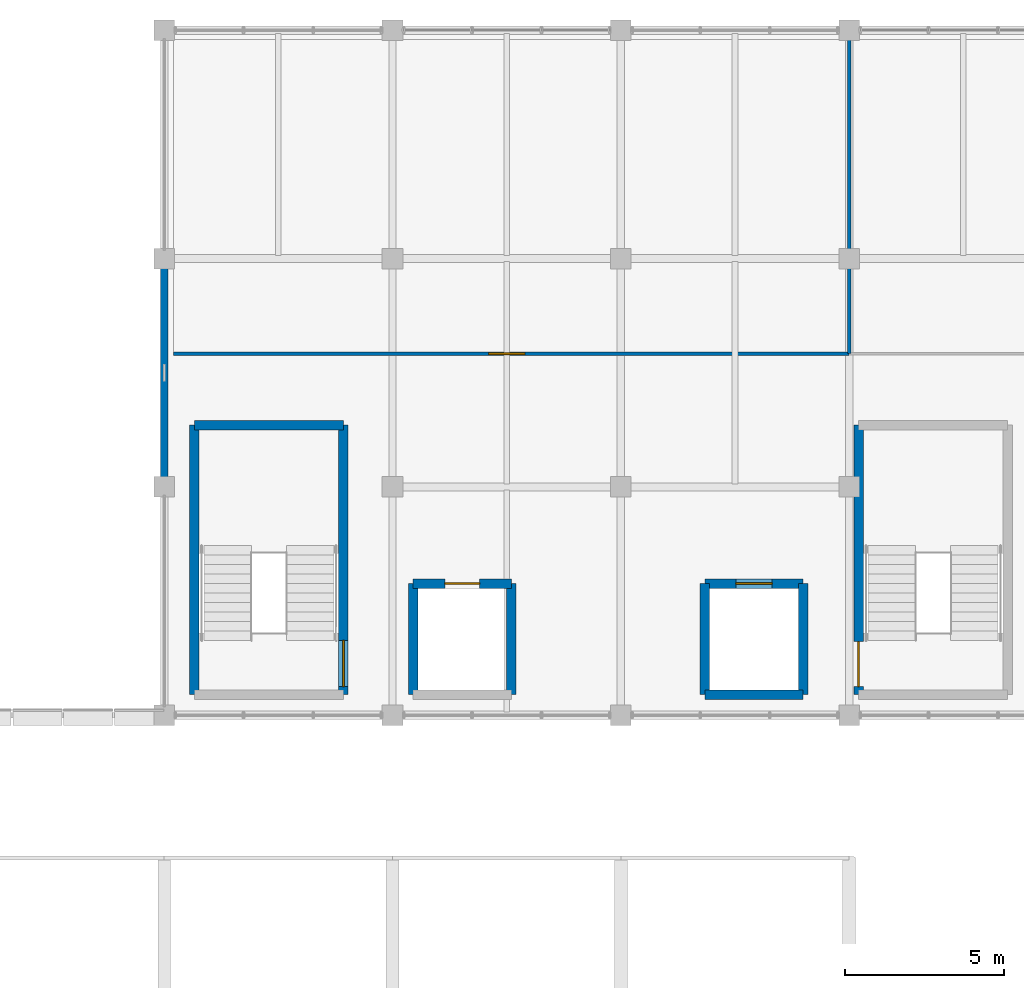
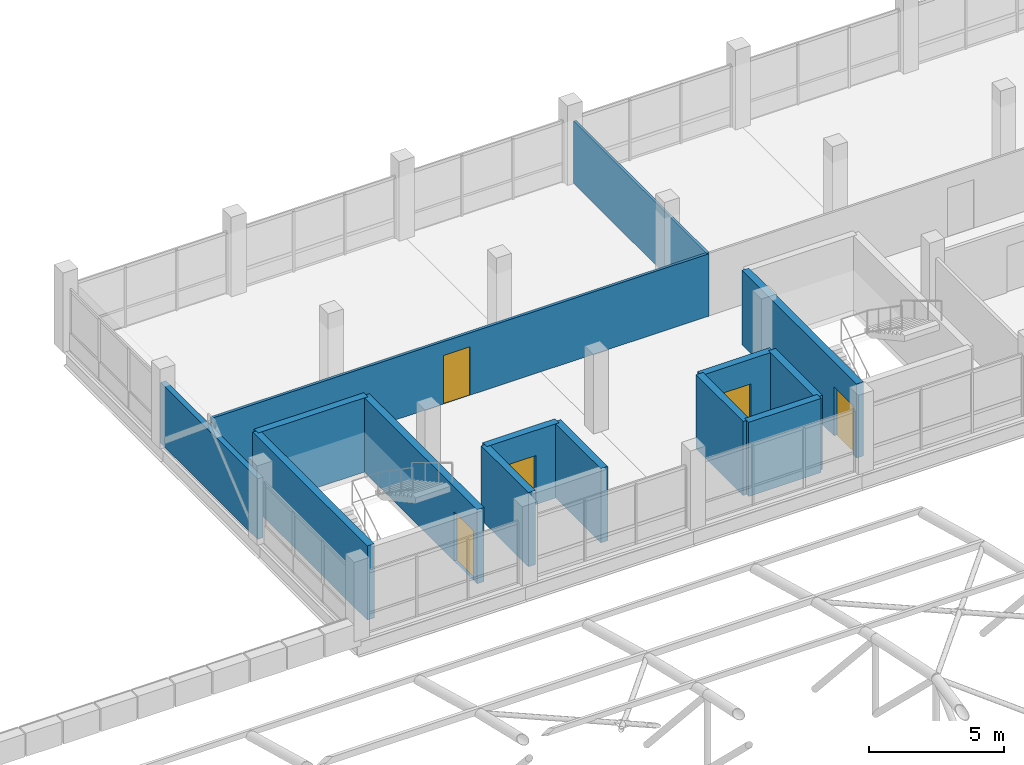
# One storey, part 59 of 96: 14 walls, 5 doors, 5 openings.
"""IFC4 building model written with IfcOpenShell, lengths in metres."""

from ifc_helpers import new_model, si_unit, direction, frame, frame_2d, origin, place, context, subcontext, project, spatial, rectangle, extrude, material, layer, layer_set, type_object, element, fill, save


model = new_model("IFC4")

# Units and contexts
model_context = context("Model", 3, precision=1e-05, world=origin(), true_north=direction((0.0, 1.0)))
body_context = subcontext(model_context, "Body", "Model", "MODEL_VIEW")
ifc_project = project(units=[si_unit("LENGTHUNIT", "METRE"), si_unit("AREAUNIT", "SQUARE_METRE"), si_unit("VOLUMEUNIT", "CUBIC_METRE"), si_unit("PLANEANGLEUNIT", "RADIAN"), si_unit("MASSUNIT", "GRAM", prefix="KILO")], contexts=[model_context])

# Site, building, storey
site_placement = place(None, origin())
site = spatial("IfcSite", under=ifc_project, at=site_placement, CompositionType="ELEMENT")
building_placement = place(site_placement, origin())
building = spatial("IfcBuilding", under=site, at=building_placement, Name="Yarey Park Central Fire Station", CompositionType="ELEMENT")
storey_placement = place(building_placement, frame((0.0, 0.0, 14.39990234375)))
storey = spatial("IfcBuildingStorey", under=building, at=storey_placement, Name="L04", CompositionType="ELEMENT", Elevation=14.39990234375)

# Wall
ifc_material_1 = material(Name="Concrete C35/45", Category="concrete")
ifc_layer_1 = layer(ifc_material_1, 0.22998046875)
ifc_layer_set_1 = layer_set([ifc_layer_1], Name="Concrete C35/45")
wall_type_1 = type_object("IfcWallType", Name="ENV_WALL_INS230", PredefinedType="STANDARD", material=ifc_layer_set_1)
wall_1_placement = place(storey_placement, frame((115.199951171875, 108.0, 0.0), z_axis=(0.0, 0.0, 1.0), x_axis=(0.0, -1.0, 0.0)))
element("IfcWall", 1, at=wall_1_placement, inside=storey, type_object=wall_type_1, Name="EW_L04_V4_WB", PredefinedType="STANDARD", context=body_context, shape_type="SweptSolid", body=[
    extrude(rectangle(XDim=7.199951171875, YDim=0.22998046875, at=frame_2d((3.60009765625, 0.0))), origin(), (0.0, 0.0, 1.0), 2.75),
])

# Wall, opening, door
ifc_material_2 = material(Name="Concrete C40/50", Category="concrete")
ifc_layer_2 = layer(ifc_material_2, 0.27001953125)
ifc_layer_set_2 = layer_set([ifc_layer_2], Name="Concrete C40/50")
wall_type_2 = type_object("IfcWallType", Name="INT_CORE_RC270", PredefinedType="SHEAR", material=ifc_layer_set_2)
wall_2_placement = place(storey_placement, frame((126.14990234375, 97.75, 0.0), z_axis=(0.0, 0.0, 1.0), x_axis=(-1.0, 0.0, 0.0)))
wall_2 = element("IfcWall", 2, at=wall_2_placement, inside=storey, type_object=wall_type_2, Name="LWALL_C1_L04_N", PredefinedType="SHEAR", context=body_context, shape_type="SweptSolid", body=[
    extrude(rectangle(XDim=3.099853515625, YDim=0.300048828125, at=frame_2d((1.5498046875, 0.0))), origin(), (0.0, 0.0, 1.0), 3.360107421875),
])
opening_1_placement = place(wall_2_placement, frame((1.0, 0.0, 0.0)))
opening_1 = element("IfcOpeningElement", 3, at=opening_1_placement, cuts=wall_2, Name="Opening LD-11", PredefinedType="OPENING", context=body_context, shape_type="SweptSolid", body=[
    extrude(rectangle(XDim=1.10009765625, YDim=2.219970703125, at=frame_2d((0.550048828125, 1.10986328125))), frame((0.0, 0.159912109375, 0.0), z_axis=(0.0, -1.0, 0.0), x_axis=(1.0, 0.0, 0.0)), (0.0, 0.0, 1.0), 0.320068359375),
])
ifc_material_3 = material(Name="Stainless Steel AISI 316L", Category="steel")
door_type_1 = type_object("IfcDoorType", Name="DR_LD_1100", OperationType="NOTDEFINED", PredefinedType="DOOR", material=ifc_material_3)
door_1_placement = place(opening_1_placement, origin())
door_1 = element("IfcDoor", 4, at=door_1_placement, inside=storey, type_object=door_type_1, Name="Lift Landing Door LF-1-L04", OperationType="SLIDING_TO_LEFT", OverallHeight=2.219970703125, OverallWidth=1.10009765625, PredefinedType="DOOR", context=body_context, shape_type="SweptSolid", body=[
    extrude(rectangle(XDim=1.10009765625, YDim=2.219970703125, at=frame_2d((0.550048828125, 1.10986328125))), frame((0.0, 0.02490234375, 0.0), z_axis=(0.0, -1.0, 0.0), x_axis=(1.0, 0.0, 0.0)), (0.0, 0.0, 1.0), 0.050048828125),
])
fill(opening_1, door_1)

# Walls
for number, where, z_axis, x_axis, name in (
    (5, (123.050048828125, 97.75, 0.0), (0.0, 0.0, 1.0), (0.0, -1.0, 0.0), "LWALL_C1_L04_W"),
    (6, (126.14990234375, 94.25, 0.0), (0.0, 0.0, 1.0), (0.0, 1.0, 0.0), "LWALL_C1_L04_E"),
):
    element("IfcWall", number, at=place(storey_placement, frame(where, z_axis=z_axis, x_axis=x_axis)), inside=storey, type_object=wall_type_2, Name=name, PredefinedType="SHEAR", context=body_context, shape_type="SweptSolid", body=[
        extrude(rectangle(XDim=3.5, YDim=0.300048828125, at=frame_2d((1.75, 0.0))), origin(), (0.0, 0.0, 1.0), 3.360107421875),
    ])
wall_3_placement = place(storey_placement, frame((132.25, 94.25, 0.0), z_axis=(0.0, 0.0, 1.0), x_axis=(1.0, 0.0, 0.0)))
element("IfcWall", 7, at=wall_3_placement, inside=storey, type_object=wall_type_2, Name="LWALL_C2_L04_S", PredefinedType="SHEAR", context=body_context, shape_type="SweptSolid", body=[
    extrude(rectangle(XDim=3.10009765625, YDim=0.300048828125, at=frame_2d((1.550048828125, 0.0))), origin(), (0.0, 0.0, 1.0), 3.360107421875),
])

# Wall, opening, door
wall_4_placement = place(storey_placement, frame((135.35009765625, 97.75, 0.0), z_axis=(0.0, 0.0, 1.0), x_axis=(-1.0, 0.0, 0.0)))
wall_4 = element("IfcWall", 8, at=wall_4_placement, inside=storey, type_object=wall_type_2, Name="LWALL_C2_L04_N", PredefinedType="SHEAR", context=body_context, shape_type="SweptSolid", body=[
    extrude(rectangle(XDim=3.10009765625, YDim=0.300048828125, at=frame_2d((1.550048828125, 0.0))), origin(), (0.0, 0.0, 1.0), 3.360107421875),
])
opening_2_placement = place(wall_4_placement, frame((0.97998046875, 0.0, 0.0)))
opening_2 = element("IfcOpeningElement", 9, at=opening_2_placement, cuts=wall_4, Name="Opening LD-11B", PredefinedType="OPENING", context=body_context, shape_type="SweptSolid", body=[
    extrude(rectangle(XDim=1.139892578125, YDim=2.239990234375, at=frame_2d((0.56982421875, 1.1201171875))), frame((0.0, 0.159912109375, 0.0), z_axis=(0.0, -1.0, 0.0), x_axis=(1.0, 0.0, 0.0)), (0.0, 0.0, 1.0), 0.320068359375),
])
door_type_2 = type_object("IfcDoorType", Name="DR_LD_1140", OperationType="NOTDEFINED", PredefinedType="DOOR", material=ifc_material_3)
door_2_placement = place(opening_2_placement, origin())
door_2 = element("IfcDoor", 10, at=door_2_placement, inside=storey, type_object=door_type_2, Name="Lift Landing Door LF-2-L04", OperationType="SLIDING_TO_LEFT", OverallHeight=2.239990234375, OverallWidth=1.139892578125, PredefinedType="DOOR", context=body_context, shape_type="SweptSolid", body=[
    extrude(rectangle(XDim=1.139892578125, YDim=2.239990234375, at=frame_2d((0.56982421875, 1.1201171875))), frame((0.0, 0.02490234375, 0.0), z_axis=(0.0, -1.0, 0.0), x_axis=(1.0, 0.0, 0.0)), (0.0, 0.0, 1.0), 0.050048828125),
])
fill(opening_2, door_2)

# Walls
for number, where, z_axis, x_axis, name in (
    (11, (132.25, 97.75, 0.0), (0.0, 0.0, 1.0), (0.0, -1.0, 0.0), "LWALL_C2_L04_W"),
    (12, (135.35009765625, 94.25, 0.0), (0.0, 0.0, 1.0), (0.0, 1.0, 0.0), "LWALL_C2_L04_E"),
):
    element("IfcWall", number, at=place(storey_placement, frame(where, z_axis=z_axis, x_axis=x_axis)), inside=storey, type_object=wall_type_2, Name=name, PredefinedType="SHEAR", context=body_context, shape_type="SweptSolid", body=[
        extrude(rectangle(XDim=3.5, YDim=0.300048828125, at=frame_2d((1.75, 0.0))), origin(), (0.0, 0.0, 1.0), 3.360107421875),
    ])
ifc_layer_3 = layer(ifc_material_2, 0.300048828125)
ifc_layer_set_3 = layer_set([ifc_layer_3], Name="Concrete C40/50")
wall_type_3 = type_object("IfcWallType", Name="INT_CORE_RC300", PredefinedType="SHEAR", material=ifc_layer_set_3)
wall_5_placement = place(storey_placement, frame((120.85009765625, 102.75, 0.0), z_axis=(0.0, 0.0, 1.0), x_axis=(-1.0, 0.0, 0.0)))
element("IfcWall", 13, at=wall_5_placement, inside=storey, type_object=wall_type_3, Name="CWALL_C1_L04_N", PredefinedType="SHEAR", context=body_context, shape_type="SweptSolid", body=[
    extrude(rectangle(XDim=4.7001953125, YDim=0.300048828125, at=frame_2d((2.35009765625, 0.0))), origin(), (0.0, 0.0, 1.0), 3.360107421875),
])
wall_6_placement = place(storey_placement, frame((116.14990234375, 102.75, 0.0), z_axis=(0.0, 0.0, 1.0), x_axis=(0.0, -1.0, 0.0)))
element("IfcWall", 14, at=wall_6_placement, inside=storey, type_object=wall_type_3, Name="CWALL_C1_L04_W", PredefinedType="SHEAR", context=body_context, shape_type="SweptSolid", body=[
    extrude(rectangle(XDim=8.5, YDim=0.300048828125, at=frame_2d((4.25, 0.0))), origin(), (0.0, 0.0, 1.0), 3.360107421875),
])

# Wall, opening, door
wall_7_placement = place(storey_placement, frame((120.85009765625, 94.25, 0.0), z_axis=(0.0, 0.0, 1.0), x_axis=(0.0, 1.0, 0.0)))
wall_7 = element("IfcWall", 15, at=wall_7_placement, inside=storey, type_object=wall_type_3, Name="CWALL_C1_L04_E", PredefinedType="SHEAR", context=body_context, shape_type="SweptSolid", body=[
    extrude(rectangle(XDim=8.5, YDim=0.300048828125, at=frame_2d((4.25, 0.0))), origin(), (0.0, 0.0, 1.0), 3.360107421875),
])
opening_3_placement = place(wall_7_placement, frame((0.25, 0.0, 0.0)))
opening_3 = element("IfcOpeningElement", 16, at=opening_3_placement, cuts=wall_7, Name="Opening SD-146", PredefinedType="OPENING", context=body_context, shape_type="SweptSolid", body=[
    extrude(rectangle(XDim=1.4599609375, YDim=2.239990234375, at=frame_2d((0.72998046875, 1.1201171875))), frame((0.0, 0.159912109375, 0.0), z_axis=(0.0, -1.0, 0.0), x_axis=(1.0, 0.0, 0.0)), (0.0, 0.0, 1.0), 0.320068359375),
])
ifc_material_4 = material(Name="Galvanized Hollow Metal Door", Category="metal")
door_type_3 = type_object("IfcDoorType", Name="DR_STAIR_1460", OperationType="NOTDEFINED", PredefinedType="DOOR", material=ifc_material_4)
door_3_placement = place(opening_3_placement, origin())
door_3 = element("IfcDoor", 17, at=door_3_placement, inside=storey, type_object=door_type_3, Name="DOOR_STAIR_C1_L04", OperationType="SINGLE_SWING_RIGHT", OverallHeight=2.239990234375, OverallWidth=1.4599609375, PredefinedType="DOOR", context=body_context, shape_type="SweptSolid", body=[
    extrude(rectangle(XDim=1.4599609375, YDim=2.239990234375, at=frame_2d((0.72998046875, 1.1201171875))), frame((0.0, 0.02490234375, 0.0), z_axis=(0.0, -1.0, 0.0), x_axis=(1.0, 0.0, 0.0)), (0.0, 0.0, 1.0), 0.050048828125),
])
fill(opening_3, door_3)

wall_8_placement = place(storey_placement, frame((137.10009765625, 102.75, 0.0), z_axis=(0.0, 0.0, 1.0), x_axis=(0.0, -1.0, 0.0)))
wall_8 = element("IfcWall", 18, at=wall_8_placement, inside=storey, type_object=wall_type_3, Name="CWALL_C2_L04_W", PredefinedType="SHEAR", context=body_context, shape_type="SweptSolid", body=[
    extrude(rectangle(XDim=8.5, YDim=0.300048828125, at=frame_2d((4.25, 0.0))), origin(), (0.0, 0.0, 1.0), 3.360107421875),
])
opening_4_placement = place(wall_8_placement, frame((6.830078125, 0.0, 0.0)))
opening_4 = element("IfcOpeningElement", 19, at=opening_4_placement, cuts=wall_8, Name="Opening SD-142", PredefinedType="OPENING", context=body_context, shape_type="SweptSolid", body=[
    extrude(rectangle(XDim=1.419921875, YDim=2.219970703125, at=frame_2d((0.7099609375, 1.10986328125))), frame((0.0, 0.159912109375, 0.0), z_axis=(0.0, -1.0, 0.0), x_axis=(1.0, 0.0, 0.0)), (0.0, 0.0, 1.0), 0.320068359375),
])
door_type_4 = type_object("IfcDoorType", Name="DR_STAIR_1420", OperationType="NOTDEFINED", PredefinedType="DOOR", material=ifc_material_4)
door_4_placement = place(opening_4_placement, origin())
door_4 = element("IfcDoor", 20, at=door_4_placement, inside=storey, type_object=door_type_4, Name="DOOR_STAIR_C2_L04", OperationType="SINGLE_SWING_RIGHT", OverallHeight=2.219970703125, OverallWidth=1.419921875, PredefinedType="DOOR", context=body_context, shape_type="SweptSolid", body=[
    extrude(rectangle(XDim=1.419921875, YDim=2.219970703125, at=frame_2d((0.7099609375, 1.10986328125))), frame((0.0, 0.02490234375, 0.0), z_axis=(0.0, -1.0, 0.0), x_axis=(1.0, 0.0, 0.0)), (0.0, 0.0, 1.0), 0.050048828125),
])
fill(opening_4, door_4)

# Wall
ifc_material_5 = material(Name="Gypsum Acoustic Partition", Category="gypsum")
ifc_layer_4 = layer(ifc_material_5, 0.10205078125)
ifc_layer_set_4 = layer_set([ifc_layer_4], Name="Gypsum Acoustic Partition")
wall_type_4 = type_object("IfcWallType", Name="INT_WALL_PT102", PredefinedType="STANDARD", material=ifc_layer_set_4)
wall_9_placement = place(storey_placement, frame((136.800048828125, 105.0, 0.0), z_axis=(0.0, 0.0, 1.0), x_axis=(0.0, 1.0, 0.0)))
element("IfcWall", 21, at=wall_9_placement, inside=storey, type_object=wall_type_4, Name="PART_SPC_L04_ENG1_EAST", PredefinedType="STANDARD", context=body_context, shape_type="SweptSolid", body=[
    extrude(rectangle(XDim=9.89990234375, YDim=0.10205078125, at=frame_2d((4.949951171875, 0.0))), origin(), (0.0, 0.0, 1.0), 2.8271484375),
])

# Wall, opening, door
ifc_layer_5 = layer(ifc_material_5, 0.117919921875)
ifc_layer_set_5 = layer_set([ifc_layer_5], Name="Gypsum Acoustic Partition")
wall_type_5 = type_object("IfcWallType", Name="INT_WALL_PT118", PredefinedType="STANDARD", material=ifc_layer_set_5)
wall_10_placement = place(storey_placement, frame((115.5, 105.0, 0.0), z_axis=(0.0, 0.0, 1.0), x_axis=(1.0, 0.0, 0.0)))
wall_10 = element("IfcWall", 22, at=wall_10_placement, inside=storey, type_object=wall_type_5, Name="PART_SPC_L04_ENG1_SOUTH", PredefinedType="STANDARD", context=body_context, shape_type="SweptSolid", body=[
    extrude(rectangle(XDim=21.300048828125, YDim=0.117919921875, at=frame_2d((10.64990234375, 0.0))), origin(), (0.0, 0.0, 1.0), 2.8271484375),
])
opening_5_placement = place(wall_10_placement, frame((9.929931640625, 0.0, 0.0)))
opening_5 = element("IfcOpeningElement", 23, at=opening_5_placement, cuts=wall_10, Name="Opening ID-114", PredefinedType="OPENING", context=body_context, shape_type="SweptSolid", body=[
    extrude(rectangle(XDim=1.139892578125, YDim=2.199951171875, at=frame_2d((0.56982421875, 1.10009765625))), frame((0.0, 0.06884765625, 0.0), z_axis=(0.0, -1.0, 0.0), x_axis=(1.0, 0.0, 0.0)), (0.0, 0.0, 1.0), 0.137939453125),
])
ifc_material_6 = material(Name="Hardwood Acoustic Leaf", Category="wood")
door_type_5 = type_object("IfcDoorType", Name="DR_INT_1140", OperationType="NOTDEFINED", PredefinedType="DOOR", material=ifc_material_6)
door_5_placement = place(opening_5_placement, origin())
door_5 = element("IfcDoor", 24, at=door_5_placement, inside=storey, type_object=door_type_5, Name="DOOR_SPC_L04_ENG1", OperationType="SINGLE_SWING_LEFT", OverallHeight=2.199951171875, OverallWidth=1.139892578125, PredefinedType="DOOR", context=body_context, shape_type="SweptSolid", body=[
    extrude(rectangle(XDim=1.139892578125, YDim=2.199951171875, at=frame_2d((0.56982421875, 1.10009765625))), frame((0.0, 0.02490234375, 0.0), z_axis=(0.0, -1.0, 0.0), x_axis=(1.0, 0.0, 0.0)), (0.0, 0.0, 1.0), 0.050048828125),
])
fill(opening_5, door_5)

save(model, "model.ifc")
